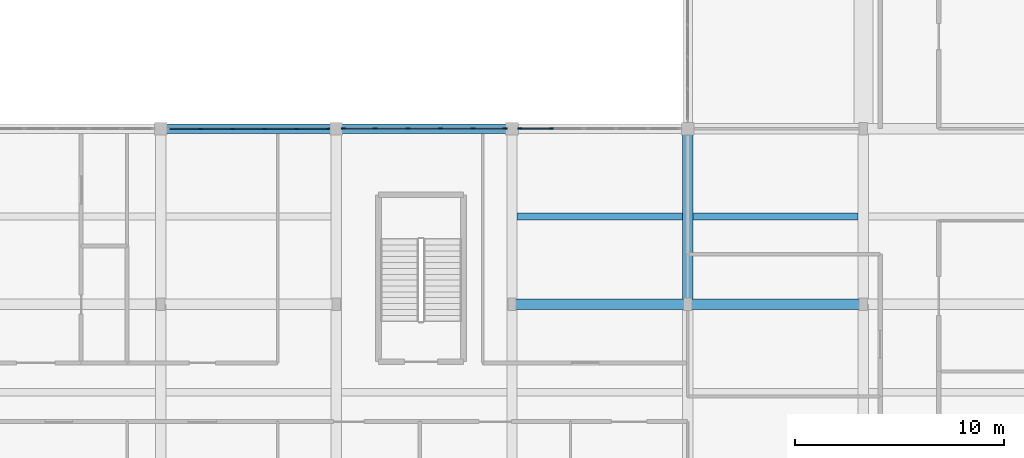
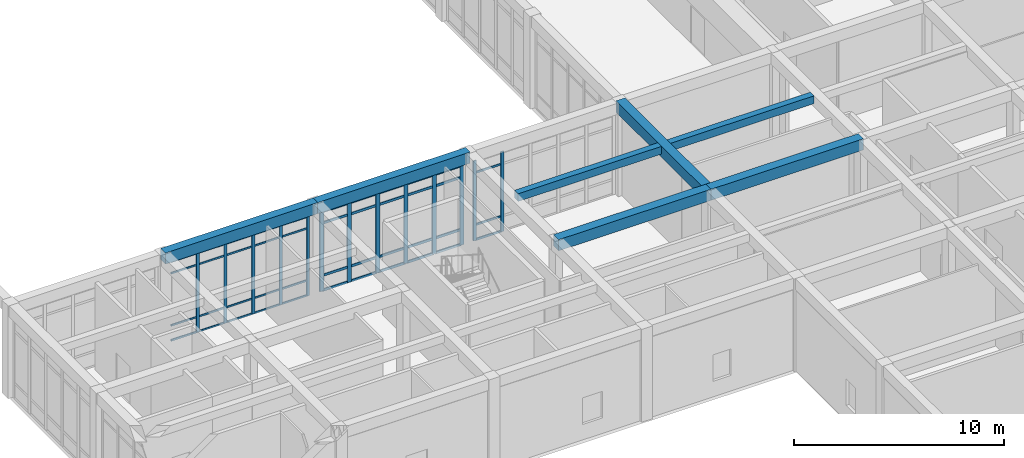
# One storey, part 32 of 89: 56 members, 7 beams, 3 elements without a shape of their own.
"""IFC4 building model written with IfcOpenShell, lengths in metres."""

from ifc_helpers import new_model, si_unit, direction, frame, origin, origin_2d, place, context, subcontext, project, spatial, rectangle, extrude, material, material_profile, profile_set, type_object, element, aggregate, save


model = new_model("IFC4")

# Units and contexts
model_context = context("Model", 3, precision=1e-05, world=origin(), true_north=direction((0.0, 1.0)))
body_context = subcontext(model_context, "Body", "Model", "MODEL_VIEW")
ifc_project = project(units=[si_unit("LENGTHUNIT", "METRE"), si_unit("AREAUNIT", "SQUARE_METRE"), si_unit("VOLUMEUNIT", "CUBIC_METRE"), si_unit("PLANEANGLEUNIT", "RADIAN"), si_unit("MASSUNIT", "GRAM", prefix="KILO")], contexts=[model_context])

# Site, building, storey
site_placement = place(None, origin())
site = spatial("IfcSite", under=ifc_project, at=site_placement, CompositionType="ELEMENT")
building_placement = place(site_placement, origin())
building = spatial("IfcBuilding", under=site, at=building_placement, Name="Varncliffe General Hospital", CompositionType="ELEMENT")
storey_placement = place(building_placement, frame((0.0, 0.0, 10.800048828125)))
storey = spatial("IfcBuildingStorey", under=building, at=storey_placement, Name="L02", CompositionType="ELEMENT", Elevation=10.800048828125)

# Beams
ifc_material_1 = material(Name="Concrete C35/45 (CSA A23.1 35 MPa)", Category="concrete")
ifc_material_profile_1 = material_profile(ifc_material_1, rectangle(XDim=0.5, YDim=0.64990234375, at=origin_2d()), Name="RC 500x650")
ifc_profile_set_1 = profile_set([ifc_material_profile_1], Name="Concrete C35/45 (CSA A23.1 35 MPa)")
beam_type_1 = type_object("IfcBeamType", Name="Beam B29 (Int RC 500x650)", PredefinedType="BEAM", material=ifc_profile_set_1)
beam_1_placement = place(storey_placement, frame((142.800048828125, 32.39990234375, 5.074951171875), z_axis=(1.0, 0.0, 0.0), x_axis=(0.0, 1.0, 0.0)))
element("IfcBeam", 1, at=beam_1_placement, inside=storey, type_object=beam_type_1, Name="L02 Primary Beam B29-37", PredefinedType="BEAM", context=body_context, shape_type="SweptSolid", body=[
    extrude(rectangle(XDim=0.5, YDim=0.64990234375, at=origin_2d()), origin(), (0.0, 0.0, 1.0), 8.39990234375),
])
for number, where, z_axis, x_axis, name in (
    (2, (151.199951171875, 32.39990234375, 5.074951171875), (1.0, 0.0, 0.0), (0.0, 1.0, 0.0), "L02 Primary Beam B29-38"),
    (3, (151.199951171875, 32.39990234375, 5.074951171875), (0.0, 1.0, 0.0), (-1.0, 0.0, 0.0), "L02 Primary Beam B29-433"),
):
    element("IfcBeam", number, at=place(storey_placement, frame(where, z_axis=z_axis, x_axis=x_axis)), inside=storey, type_object=beam_type_1, Name=name, PredefinedType="BEAM", context=body_context, shape_type="SweptSolid", body=[
        extrude(rectangle(XDim=0.5, YDim=0.64990234375, at=origin_2d()), origin(), (0.0, 0.0, 1.0), 8.400146484375),
    ])

# Curtain wall, members
ifc_material_2 = material(Name="Triple low-E argon insulated vision glazing", Category="glass")
curtain_wall_type_1 = type_object("IfcCurtainWallType", Name="Unitised Glazed Curtain Wall CW70 (7724x4640)", PredefinedType="USERDEFINED", material=ifc_material_2)
curtain_wall_1_placement = place(storey_placement, origin())
curtain_wall_1 = element("IfcCurtainWall", 4, at=curtain_wall_1_placement, inside=storey, type_object=curtain_wall_type_1, Name="L02 Glazed Curtain Wall CW70-121", ObjectType="GLAZED CURTAIN WALL", PredefinedType="USERDEFINED")
ifc_material_3 = material(Name="Dark bronze thermally broken aluminium framing", Category="aluminium")
ifc_material_profile_2 = material_profile(ifc_material_3, rectangle(XDim=0.074951171875, YDim=0.179931640625, at=origin_2d()), Name="ALU 75x180")
ifc_profile_set_2 = profile_set([ifc_material_profile_2], Name="Dark bronze thermally broken aluminium framing")
member_type_1 = type_object("IfcMemberType", Name="Curtain Wall Mullion CM44 (ALU 75x180)", PredefinedType="MULLION", material=ifc_profile_set_2)
member_1_placement = place(storey_placement, frame((143.175537109375, 40.800048828125, 0.0), z_axis=(0.0, 0.0, 1.0), x_axis=(0.0, 1.0, 0.0)))
member_1 = element("IfcMember", 5, at=member_1_placement, type_object=member_type_1, Name="CW70 mullion 1", PredefinedType="MULLION", context=body_context, shape_type="SweptSolid", body=[
    extrude(rectangle(XDim=0.074951171875, YDim=0.179931640625, at=origin_2d()), origin(), (0.0, 0.0, 1.0), 4.639892578125),
])
member_2_placement = place(storey_placement, frame((144.682861328125, 40.800048828125, 0.0), z_axis=(0.0, 0.0, 1.0), x_axis=(0.0, 1.0, 0.0)))
member_2 = element("IfcMember", 6, at=member_2_placement, type_object=member_type_1, Name="CW70 mullion 2", PredefinedType="MULLION", context=body_context, shape_type="SweptSolid", body=[
    extrude(rectangle(XDim=0.074951171875, YDim=0.179931640625, at=origin_2d()), origin(), (0.0, 0.0, 1.0), 4.639892578125),
])

curtain_wall_type_2 = type_object("IfcCurtainWallType", Name="Unitised Glazed Curtain Wall CW27 (7644x4640)", PredefinedType="USERDEFINED", material=ifc_material_2)
curtain_wall_2_placement = place(storey_placement, origin())
curtain_wall_2 = element("IfcCurtainWall", 7, at=curtain_wall_2_placement, inside=storey, type_object=curtain_wall_type_2, Name="L02 Glazed Curtain Wall CW27-119", ObjectType="GLAZED CURTAIN WALL", PredefinedType="USERDEFINED")
ifc_material_profile_3 = material_profile(ifc_material_3, rectangle(XDim=0.06494140625, YDim=0.159912109375, at=origin_2d()), Name="ALU 65x160")
ifc_profile_set_3 = profile_set([ifc_material_profile_3], Name="Dark bronze thermally broken aluminium framing")
member_type_2 = type_object("IfcMemberType", Name="Curtain Wall Mullion CM65 (ALU 65x160)", PredefinedType="MULLION", material=ifc_profile_set_3)
member_3_placement = place(storey_placement, frame((127.90673828125, 40.800048828125, 0.0), z_axis=(0.0, 0.0, 1.0), x_axis=(0.0, 1.0, 0.0)))
member_3 = element("IfcMember", 8, at=member_3_placement, type_object=member_type_2, Name="CW27 mullion 2", PredefinedType="MULLION", context=body_context, shape_type="SweptSolid", body=[
    extrude(rectangle(XDim=0.06494140625, YDim=0.159912109375, at=origin_2d()), origin(), (0.0, 0.0, 1.0), 4.639892578125),
])
member_4_placement = place(storey_placement, frame((129.435546875, 40.800048828125, 0.0), z_axis=(0.0, 0.0, 1.0), x_axis=(0.0, 1.0, 0.0)))
member_4 = element("IfcMember", 9, at=member_4_placement, type_object=member_type_2, Name="CW27 mullion 3", PredefinedType="MULLION", context=body_context, shape_type="SweptSolid", body=[
    extrude(rectangle(XDim=0.06494140625, YDim=0.159912109375, at=origin_2d()), origin(), (0.0, 0.0, 1.0), 4.639892578125),
])
member_5_placement = place(storey_placement, frame((130.96435546875, 40.800048828125, 0.0), z_axis=(0.0, 0.0, 1.0), x_axis=(0.0, 1.0, 0.0)))
member_5 = element("IfcMember", 10, at=member_5_placement, type_object=member_type_2, Name="CW27 mullion 4", PredefinedType="MULLION", context=body_context, shape_type="SweptSolid", body=[
    extrude(rectangle(XDim=0.06494140625, YDim=0.159912109375, at=origin_2d()), origin(), (0.0, 0.0, 1.0), 4.639892578125),
])
member_6_placement = place(storey_placement, frame((132.4931640625, 40.800048828125, 0.0), z_axis=(0.0, 0.0, 1.0), x_axis=(0.0, 1.0, 0.0)))
member_6 = element("IfcMember", 11, at=member_6_placement, type_object=member_type_2, Name="CW27 mullion 5", PredefinedType="MULLION", context=body_context, shape_type="SweptSolid", body=[
    extrude(rectangle(XDim=0.06494140625, YDim=0.159912109375, at=origin_2d()), origin(), (0.0, 0.0, 1.0), 4.639892578125),
])
member_7_placement = place(storey_placement, frame((133.989501953125, 40.800048828125, 0.0), z_axis=(0.0, 0.0, 1.0), x_axis=(0.0, 1.0, 0.0)))
member_7 = element("IfcMember", 12, at=member_7_placement, type_object=member_type_2, Name="CW27 mullion 6", PredefinedType="MULLION", context=body_context, shape_type="SweptSolid", body=[
    extrude(rectangle(XDim=0.06494140625, YDim=0.159912109375, at=origin_2d()), origin(), (0.0, 0.0, 1.0), 4.639892578125),
])

curtain_wall_type_3 = type_object("IfcCurtainWallType", Name="Unitised Glazed Curtain Wall CW85 (7804x4640)", PredefinedType="USERDEFINED", material=ifc_material_2)
curtain_wall_3_placement = place(storey_placement, origin())
curtain_wall_3 = element("IfcCurtainWall", 13, at=curtain_wall_3_placement, inside=storey, type_object=curtain_wall_type_3, Name="L02 Glazed Curtain Wall CW85-120", ObjectType="GLAZED CURTAIN WALL", PredefinedType="USERDEFINED")
ifc_material_profile_4 = material_profile(ifc_material_3, rectangle(XDim=0.074951171875, YDim=0.219970703125, at=origin_2d()), Name="ALU 75x220")
ifc_profile_set_4 = profile_set([ifc_material_profile_4], Name="Dark bronze thermally broken aluminium framing")
member_type_3 = type_object("IfcMemberType", Name="Curtain Wall Mullion CM74 (ALU 75x220)", PredefinedType="MULLION", material=ifc_profile_set_4)
member_8_placement = place(storey_placement, frame((134.735595703125, 40.800048828125, 0.0), z_axis=(0.0, 0.0, 1.0), x_axis=(0.0, 1.0, 0.0)))
member_8 = element("IfcMember", 14, at=member_8_placement, type_object=member_type_3, Name="CW85 mullion 1", PredefinedType="MULLION", context=body_context, shape_type="SweptSolid", body=[
    extrude(rectangle(XDim=0.074951171875, YDim=0.219970703125, at=origin_2d()), origin(), (0.0, 0.0, 1.0), 4.639892578125),
])
member_9_placement = place(storey_placement, frame((136.2587890625, 40.800048828125, 0.0), z_axis=(0.0, 0.0, 1.0), x_axis=(0.0, 1.0, 0.0)))
member_9 = element("IfcMember", 15, at=member_9_placement, type_object=member_type_3, Name="CW85 mullion 2", PredefinedType="MULLION", context=body_context, shape_type="SweptSolid", body=[
    extrude(rectangle(XDim=0.074951171875, YDim=0.219970703125, at=origin_2d()), origin(), (0.0, 0.0, 1.0), 4.639892578125),
])
member_10_placement = place(storey_placement, frame((137.819580078125, 40.800048828125, 0.0), z_axis=(0.0, 0.0, 1.0), x_axis=(0.0, 1.0, 0.0)))
member_10 = element("IfcMember", 16, at=member_10_placement, type_object=member_type_3, Name="CW85 mullion 3", PredefinedType="MULLION", context=body_context, shape_type="SweptSolid", body=[
    extrude(rectangle(XDim=0.074951171875, YDim=0.219970703125, at=origin_2d()), origin(), (0.0, 0.0, 1.0), 4.639892578125),
])
member_11_placement = place(storey_placement, frame((139.38037109375, 40.800048828125, 0.0), z_axis=(0.0, 0.0, 1.0), x_axis=(0.0, 1.0, 0.0)))
member_11 = element("IfcMember", 17, at=member_11_placement, type_object=member_type_3, Name="CW85 mullion 4", PredefinedType="MULLION", context=body_context, shape_type="SweptSolid", body=[
    extrude(rectangle(XDim=0.074951171875, YDim=0.219970703125, at=origin_2d()), origin(), (0.0, 0.0, 1.0), 4.639892578125),
])
member_12_placement = place(storey_placement, frame((140.941162109375, 40.800048828125, 0.0), z_axis=(0.0, 0.0, 1.0), x_axis=(0.0, 1.0, 0.0)))
member_12 = element("IfcMember", 18, at=member_12_placement, type_object=member_type_3, Name="CW85 mullion 5", PredefinedType="MULLION", context=body_context, shape_type="SweptSolid", body=[
    extrude(rectangle(XDim=0.074951171875, YDim=0.219970703125, at=origin_2d()), origin(), (0.0, 0.0, 1.0), 4.639892578125),
])
member_13_placement = place(storey_placement, frame((142.464599609375, 40.800048828125, 0.0), z_axis=(0.0, 0.0, 1.0), x_axis=(0.0, 1.0, 0.0)))
member_13 = element("IfcMember", 19, at=member_13_placement, type_object=member_type_3, Name="CW85 mullion 6", PredefinedType="MULLION", context=body_context, shape_type="SweptSolid", body=[
    extrude(rectangle(XDim=0.074951171875, YDim=0.219970703125, at=origin_2d()), origin(), (0.0, 0.0, 1.0), 4.639892578125),
])

# Member
ifc_material_profile_5 = material_profile(ifc_material_3, rectangle(XDim=0.06005859375, YDim=0.1201171875, at=origin_2d()), Name="ALU 60x120")
ifc_profile_set_5 = profile_set([ifc_material_profile_5], Name="Dark bronze thermally broken aluminium framing")
member_type_4 = type_object("IfcMemberType", Name="Curtain Wall Transom CT14 (ALU 60x120)", PredefinedType="USERDEFINED", material=ifc_profile_set_5)
member_14_placement = place(storey_placement, frame((143.212890625, 40.800048828125, 0.030029296875), z_axis=(1.0, 0.0, 0.0), x_axis=(0.0, 1.0, 0.0)))
member_14 = element("IfcMember", 20, at=member_14_placement, type_object=member_type_4, Name="CW70 transom 1.1", ObjectType="TRANSOM", PredefinedType="USERDEFINED", context=body_context, shape_type="SweptSolid", body=[
    extrude(rectangle(XDim=0.06005859375, YDim=0.1201171875, at=origin_2d()), origin(), (0.0, 0.0, 1.0), 1.432373046875),
])

member_15_placement = place(storey_placement, frame((143.212890625, 40.800048828125, 0.89990234375), z_axis=(1.0, 0.0, 0.0), x_axis=(0.0, 1.0, 0.0)))
member_15 = element("IfcMember", 21, at=member_15_placement, type_object=member_type_4, Name="CW70 transom 1.2", ObjectType="TRANSOM", PredefinedType="USERDEFINED", context=body_context, shape_type="SweptSolid", body=[
    extrude(rectangle(XDim=0.06005859375, YDim=0.1201171875, at=origin_2d()), origin(), (0.0, 0.0, 1.0), 1.432373046875),
])

member_16_placement = place(storey_placement, frame((143.212890625, 40.800048828125, 3.93994140625), z_axis=(1.0, 0.0, 0.0), x_axis=(0.0, 1.0, 0.0)))
member_16 = element("IfcMember", 22, at=member_16_placement, type_object=member_type_4, Name="CW70 transom 1.3", ObjectType="TRANSOM", PredefinedType="USERDEFINED", context=body_context, shape_type="SweptSolid", body=[
    extrude(rectangle(XDim=0.06005859375, YDim=0.1201171875, at=origin_2d()), origin(), (0.0, 0.0, 1.0), 1.432373046875),
])

aggregate(curtain_wall_1, [member_1, member_2, member_14, member_15, member_16])

ifc_material_profile_6 = material_profile(ifc_material_3, rectangle(XDim=0.06005859375, YDim=0.10009765625, at=origin_2d()), Name="ALU 60x100")
ifc_profile_set_6 = profile_set([ifc_material_profile_6], Name="Dark bronze thermally broken aluminium framing")
member_type_5 = type_object("IfcMemberType", Name="Curtain Wall Transom CT18 (ALU 60x100)", PredefinedType="USERDEFINED", material=ifc_profile_set_6)
member_17_placement = place(storey_placement, frame((126.443115234375, 40.800048828125, 0.030029296875), z_axis=(1.0, 0.0, 0.0), x_axis=(0.0, 1.0, 0.0)))
member_17 = element("IfcMember", 23, at=member_17_placement, type_object=member_type_5, Name="CW27 transom 1.1", ObjectType="TRANSOM", PredefinedType="USERDEFINED", context=body_context, shape_type="SweptSolid", body=[
    extrude(rectangle(XDim=0.06005859375, YDim=0.10009765625, at=origin_2d()), origin(), (0.0, 0.0, 1.0), 1.43115234375),
])

member_18_placement = place(storey_placement, frame((126.443115234375, 40.800048828125, 0.89990234375), z_axis=(1.0, 0.0, 0.0), x_axis=(0.0, 1.0, 0.0)))
member_18 = element("IfcMember", 24, at=member_18_placement, type_object=member_type_5, Name="CW27 transom 1.2", ObjectType="TRANSOM", PredefinedType="USERDEFINED", context=body_context, shape_type="SweptSolid", body=[
    extrude(rectangle(XDim=0.06005859375, YDim=0.10009765625, at=origin_2d()), origin(), (0.0, 0.0, 1.0), 1.43115234375),
])

member_19_placement = place(storey_placement, frame((126.443115234375, 40.800048828125, 3.93994140625), z_axis=(1.0, 0.0, 0.0), x_axis=(0.0, 1.0, 0.0)))
member_19 = element("IfcMember", 25, at=member_19_placement, type_object=member_type_5, Name="CW27 transom 1.3", ObjectType="TRANSOM", PredefinedType="USERDEFINED", context=body_context, shape_type="SweptSolid", body=[
    extrude(rectangle(XDim=0.06005859375, YDim=0.10009765625, at=origin_2d()), origin(), (0.0, 0.0, 1.0), 1.43115234375),
])

member_20_placement = place(storey_placement, frame((126.443115234375, 40.800048828125, 4.60986328125), z_axis=(1.0, 0.0, 0.0), x_axis=(0.0, 1.0, 0.0)))
member_20 = element("IfcMember", 26, at=member_20_placement, type_object=member_type_5, Name="CW27 transom 1.4", ObjectType="TRANSOM", PredefinedType="USERDEFINED", context=body_context, shape_type="SweptSolid", body=[
    extrude(rectangle(XDim=0.06005859375, YDim=0.10009765625, at=origin_2d()), origin(), (0.0, 0.0, 1.0), 1.43115234375),
])

member_21_placement = place(storey_placement, frame((127.939208984375, 40.800048828125, 0.030029296875), z_axis=(1.0, 0.0, 0.0), x_axis=(0.0, 1.0, 0.0)))
member_21 = element("IfcMember", 27, at=member_21_placement, type_object=member_type_5, Name="CW27 transom 2.1", ObjectType="TRANSOM", PredefinedType="USERDEFINED", context=body_context, shape_type="SweptSolid", body=[
    extrude(rectangle(XDim=0.06005859375, YDim=0.10009765625, at=origin_2d()), origin(), (0.0, 0.0, 1.0), 1.4638671875),
])

member_22_placement = place(storey_placement, frame((127.939208984375, 40.800048828125, 0.89990234375), z_axis=(1.0, 0.0, 0.0), x_axis=(0.0, 1.0, 0.0)))
member_22 = element("IfcMember", 28, at=member_22_placement, type_object=member_type_5, Name="CW27 transom 2.2", ObjectType="TRANSOM", PredefinedType="USERDEFINED", context=body_context, shape_type="SweptSolid", body=[
    extrude(rectangle(XDim=0.06005859375, YDim=0.10009765625, at=origin_2d()), origin(), (0.0, 0.0, 1.0), 1.4638671875),
])

member_23_placement = place(storey_placement, frame((127.939208984375, 40.800048828125, 3.93994140625), z_axis=(1.0, 0.0, 0.0), x_axis=(0.0, 1.0, 0.0)))
member_23 = element("IfcMember", 29, at=member_23_placement, type_object=member_type_5, Name="CW27 transom 2.3", ObjectType="TRANSOM", PredefinedType="USERDEFINED", context=body_context, shape_type="SweptSolid", body=[
    extrude(rectangle(XDim=0.06005859375, YDim=0.10009765625, at=origin_2d()), origin(), (0.0, 0.0, 1.0), 1.4638671875),
])

member_24_placement = place(storey_placement, frame((127.939208984375, 40.800048828125, 4.60986328125), z_axis=(1.0, 0.0, 0.0), x_axis=(0.0, 1.0, 0.0)))
member_24 = element("IfcMember", 30, at=member_24_placement, type_object=member_type_5, Name="CW27 transom 2.4", ObjectType="TRANSOM", PredefinedType="USERDEFINED", context=body_context, shape_type="SweptSolid", body=[
    extrude(rectangle(XDim=0.06005859375, YDim=0.10009765625, at=origin_2d()), origin(), (0.0, 0.0, 1.0), 1.4638671875),
])

member_25_placement = place(storey_placement, frame((129.468017578125, 40.800048828125, 0.030029296875), z_axis=(1.0, 0.0, 0.0), x_axis=(0.0, 1.0, 0.0)))
member_25 = element("IfcMember", 31, at=member_25_placement, type_object=member_type_5, Name="CW27 transom 3.1", ObjectType="TRANSOM", PredefinedType="USERDEFINED", context=body_context, shape_type="SweptSolid", body=[
    extrude(rectangle(XDim=0.06005859375, YDim=0.10009765625, at=origin_2d()), origin(), (0.0, 0.0, 1.0), 1.4638671875),
])

member_26_placement = place(storey_placement, frame((129.468017578125, 40.800048828125, 0.89990234375), z_axis=(1.0, 0.0, 0.0), x_axis=(0.0, 1.0, 0.0)))
member_26 = element("IfcMember", 32, at=member_26_placement, type_object=member_type_5, Name="CW27 transom 3.2", ObjectType="TRANSOM", PredefinedType="USERDEFINED", context=body_context, shape_type="SweptSolid", body=[
    extrude(rectangle(XDim=0.06005859375, YDim=0.10009765625, at=origin_2d()), origin(), (0.0, 0.0, 1.0), 1.4638671875),
])

member_27_placement = place(storey_placement, frame((129.468017578125, 40.800048828125, 3.93994140625), z_axis=(1.0, 0.0, 0.0), x_axis=(0.0, 1.0, 0.0)))
member_27 = element("IfcMember", 33, at=member_27_placement, type_object=member_type_5, Name="CW27 transom 3.3", ObjectType="TRANSOM", PredefinedType="USERDEFINED", context=body_context, shape_type="SweptSolid", body=[
    extrude(rectangle(XDim=0.06005859375, YDim=0.10009765625, at=origin_2d()), origin(), (0.0, 0.0, 1.0), 1.4638671875),
])

member_28_placement = place(storey_placement, frame((129.468017578125, 40.800048828125, 4.60986328125), z_axis=(1.0, 0.0, 0.0), x_axis=(0.0, 1.0, 0.0)))
member_28 = element("IfcMember", 34, at=member_28_placement, type_object=member_type_5, Name="CW27 transom 3.4", ObjectType="TRANSOM", PredefinedType="USERDEFINED", context=body_context, shape_type="SweptSolid", body=[
    extrude(rectangle(XDim=0.06005859375, YDim=0.10009765625, at=origin_2d()), origin(), (0.0, 0.0, 1.0), 1.4638671875),
])

member_29_placement = place(storey_placement, frame((130.996826171875, 40.800048828125, 0.030029296875), z_axis=(1.0, 0.0, 0.0), x_axis=(0.0, 1.0, 0.0)))
member_29 = element("IfcMember", 35, at=member_29_placement, type_object=member_type_5, Name="CW27 transom 4.1", ObjectType="TRANSOM", PredefinedType="USERDEFINED", context=body_context, shape_type="SweptSolid", body=[
    extrude(rectangle(XDim=0.06005859375, YDim=0.10009765625, at=origin_2d()), origin(), (0.0, 0.0, 1.0), 1.4638671875),
])

member_30_placement = place(storey_placement, frame((130.996826171875, 40.800048828125, 0.89990234375), z_axis=(1.0, 0.0, 0.0), x_axis=(0.0, 1.0, 0.0)))
member_30 = element("IfcMember", 36, at=member_30_placement, type_object=member_type_5, Name="CW27 transom 4.2", ObjectType="TRANSOM", PredefinedType="USERDEFINED", context=body_context, shape_type="SweptSolid", body=[
    extrude(rectangle(XDim=0.06005859375, YDim=0.10009765625, at=origin_2d()), origin(), (0.0, 0.0, 1.0), 1.4638671875),
])

member_31_placement = place(storey_placement, frame((130.996826171875, 40.800048828125, 3.93994140625), z_axis=(1.0, 0.0, 0.0), x_axis=(0.0, 1.0, 0.0)))
member_31 = element("IfcMember", 37, at=member_31_placement, type_object=member_type_5, Name="CW27 transom 4.3", ObjectType="TRANSOM", PredefinedType="USERDEFINED", context=body_context, shape_type="SweptSolid", body=[
    extrude(rectangle(XDim=0.06005859375, YDim=0.10009765625, at=origin_2d()), origin(), (0.0, 0.0, 1.0), 1.4638671875),
])

member_32_placement = place(storey_placement, frame((130.996826171875, 40.800048828125, 4.60986328125), z_axis=(1.0, 0.0, 0.0), x_axis=(0.0, 1.0, 0.0)))
member_32 = element("IfcMember", 38, at=member_32_placement, type_object=member_type_5, Name="CW27 transom 4.4", ObjectType="TRANSOM", PredefinedType="USERDEFINED", context=body_context, shape_type="SweptSolid", body=[
    extrude(rectangle(XDim=0.06005859375, YDim=0.10009765625, at=origin_2d()), origin(), (0.0, 0.0, 1.0), 1.4638671875),
])

member_33_placement = place(storey_placement, frame((132.525634765625, 40.800048828125, 0.030029296875), z_axis=(1.0, 0.0, 0.0), x_axis=(0.0, 1.0, 0.0)))
member_33 = element("IfcMember", 39, at=member_33_placement, type_object=member_type_5, Name="CW27 transom 5.1", ObjectType="TRANSOM", PredefinedType="USERDEFINED", context=body_context, shape_type="SweptSolid", body=[
    extrude(rectangle(XDim=0.06005859375, YDim=0.10009765625, at=origin_2d()), origin(), (0.0, 0.0, 1.0), 1.431396484375),
])

member_34_placement = place(storey_placement, frame((132.525634765625, 40.800048828125, 0.89990234375), z_axis=(1.0, 0.0, 0.0), x_axis=(0.0, 1.0, 0.0)))
member_34 = element("IfcMember", 40, at=member_34_placement, type_object=member_type_5, Name="CW27 transom 5.2", ObjectType="TRANSOM", PredefinedType="USERDEFINED", context=body_context, shape_type="SweptSolid", body=[
    extrude(rectangle(XDim=0.06005859375, YDim=0.10009765625, at=origin_2d()), origin(), (0.0, 0.0, 1.0), 1.431396484375),
])

member_35_placement = place(storey_placement, frame((132.525634765625, 40.800048828125, 3.93994140625), z_axis=(1.0, 0.0, 0.0), x_axis=(0.0, 1.0, 0.0)))
member_35 = element("IfcMember", 41, at=member_35_placement, type_object=member_type_5, Name="CW27 transom 5.3", ObjectType="TRANSOM", PredefinedType="USERDEFINED", context=body_context, shape_type="SweptSolid", body=[
    extrude(rectangle(XDim=0.06005859375, YDim=0.10009765625, at=origin_2d()), origin(), (0.0, 0.0, 1.0), 1.431396484375),
])

member_36_placement = place(storey_placement, frame((132.525634765625, 40.800048828125, 4.60986328125), z_axis=(1.0, 0.0, 0.0), x_axis=(0.0, 1.0, 0.0)))
member_36 = element("IfcMember", 42, at=member_36_placement, type_object=member_type_5, Name="CW27 transom 5.4", ObjectType="TRANSOM", PredefinedType="USERDEFINED", context=body_context, shape_type="SweptSolid", body=[
    extrude(rectangle(XDim=0.06005859375, YDim=0.10009765625, at=origin_2d()), origin(), (0.0, 0.0, 1.0), 1.431396484375),
])

aggregate(curtain_wall_2, [member_3, member_4, member_5, member_6, member_7, member_17, member_18, member_19, member_20, member_21, member_22, member_23, member_24, member_25, member_26, member_27, member_28, member_29, member_30, member_31, member_32, member_33, member_34, member_35, member_36])

ifc_material_profile_7 = material_profile(ifc_material_3, rectangle(XDim=0.06494140625, YDim=0.139892578125, at=origin_2d()), Name="ALU 65x140")
ifc_profile_set_7 = profile_set([ifc_material_profile_7], Name="Dark bronze thermally broken aluminium framing")
member_type_6 = type_object("IfcMemberType", Name="Curtain Wall Transom CT69 (ALU 65x140)", PredefinedType="USERDEFINED", material=ifc_profile_set_7)
member_37_placement = place(storey_placement, frame((134.77294921875, 40.800048828125, 0.032470703125), z_axis=(1.0, 0.0, 0.0), x_axis=(0.0, 1.0, 0.0)))
member_37 = element("IfcMember", 43, at=member_37_placement, type_object=member_type_6, Name="CW85 transom 1.1", ObjectType="TRANSOM", PredefinedType="USERDEFINED", context=body_context, shape_type="SweptSolid", body=[
    extrude(rectangle(XDim=0.06494140625, YDim=0.139892578125, at=origin_2d()), origin(), (0.0, 0.0, 1.0), 1.4482421875),
])

member_38_placement = place(storey_placement, frame((134.77294921875, 40.800048828125, 0.89990234375), z_axis=(1.0, 0.0, 0.0), x_axis=(0.0, 1.0, 0.0)))
member_38 = element("IfcMember", 44, at=member_38_placement, type_object=member_type_6, Name="CW85 transom 1.2", ObjectType="TRANSOM", PredefinedType="USERDEFINED", context=body_context, shape_type="SweptSolid", body=[
    extrude(rectangle(XDim=0.06494140625, YDim=0.139892578125, at=origin_2d()), origin(), (0.0, 0.0, 1.0), 1.4482421875),
])

member_39_placement = place(storey_placement, frame((134.77294921875, 40.800048828125, 3.93994140625), z_axis=(1.0, 0.0, 0.0), x_axis=(0.0, 1.0, 0.0)))
member_39 = element("IfcMember", 45, at=member_39_placement, type_object=member_type_6, Name="CW85 transom 1.3", ObjectType="TRANSOM", PredefinedType="USERDEFINED", context=body_context, shape_type="SweptSolid", body=[
    extrude(rectangle(XDim=0.06494140625, YDim=0.139892578125, at=origin_2d()), origin(), (0.0, 0.0, 1.0), 1.4482421875),
])

member_40_placement = place(storey_placement, frame((134.77294921875, 40.800048828125, 4.607421875), z_axis=(1.0, 0.0, 0.0), x_axis=(0.0, 1.0, 0.0)))
member_40 = element("IfcMember", 46, at=member_40_placement, type_object=member_type_6, Name="CW85 transom 1.4", ObjectType="TRANSOM", PredefinedType="USERDEFINED", context=body_context, shape_type="SweptSolid", body=[
    extrude(rectangle(XDim=0.06494140625, YDim=0.139892578125, at=origin_2d()), origin(), (0.0, 0.0, 1.0), 1.4482421875),
])

member_41_placement = place(storey_placement, frame((136.29638671875, 40.800048828125, 0.032470703125), z_axis=(1.0, 0.0, 0.0), x_axis=(0.0, 1.0, 0.0)))
member_41 = element("IfcMember", 47, at=member_41_placement, type_object=member_type_6, Name="CW85 transom 2.1", ObjectType="TRANSOM", PredefinedType="USERDEFINED", context=body_context, shape_type="SweptSolid", body=[
    extrude(rectangle(XDim=0.06494140625, YDim=0.139892578125, at=origin_2d()), origin(), (0.0, 0.0, 1.0), 1.485595703125),
])

member_42_placement = place(storey_placement, frame((136.29638671875, 40.800048828125, 0.89990234375), z_axis=(1.0, 0.0, 0.0), x_axis=(0.0, 1.0, 0.0)))
member_42 = element("IfcMember", 48, at=member_42_placement, type_object=member_type_6, Name="CW85 transom 2.2", ObjectType="TRANSOM", PredefinedType="USERDEFINED", context=body_context, shape_type="SweptSolid", body=[
    extrude(rectangle(XDim=0.06494140625, YDim=0.139892578125, at=origin_2d()), origin(), (0.0, 0.0, 1.0), 1.485595703125),
])

member_43_placement = place(storey_placement, frame((136.29638671875, 40.800048828125, 3.93994140625), z_axis=(1.0, 0.0, 0.0), x_axis=(0.0, 1.0, 0.0)))
member_43 = element("IfcMember", 49, at=member_43_placement, type_object=member_type_6, Name="CW85 transom 2.3", ObjectType="TRANSOM", PredefinedType="USERDEFINED", context=body_context, shape_type="SweptSolid", body=[
    extrude(rectangle(XDim=0.06494140625, YDim=0.139892578125, at=origin_2d()), origin(), (0.0, 0.0, 1.0), 1.485595703125),
])

member_44_placement = place(storey_placement, frame((136.29638671875, 40.800048828125, 4.607421875), z_axis=(1.0, 0.0, 0.0), x_axis=(0.0, 1.0, 0.0)))
member_44 = element("IfcMember", 50, at=member_44_placement, type_object=member_type_6, Name="CW85 transom 2.4", ObjectType="TRANSOM", PredefinedType="USERDEFINED", context=body_context, shape_type="SweptSolid", body=[
    extrude(rectangle(XDim=0.06494140625, YDim=0.139892578125, at=origin_2d()), origin(), (0.0, 0.0, 1.0), 1.485595703125),
])

member_45_placement = place(storey_placement, frame((137.857177734375, 40.800048828125, 0.032470703125), z_axis=(1.0, 0.0, 0.0), x_axis=(0.0, 1.0, 0.0)))
member_45 = element("IfcMember", 51, at=member_45_placement, type_object=member_type_6, Name="CW85 transom 3.1", ObjectType="TRANSOM", PredefinedType="USERDEFINED", context=body_context, shape_type="SweptSolid", body=[
    extrude(rectangle(XDim=0.06494140625, YDim=0.139892578125, at=origin_2d()), origin(), (0.0, 0.0, 1.0), 1.48583984375),
])

member_46_placement = place(storey_placement, frame((137.857177734375, 40.800048828125, 0.89990234375), z_axis=(1.0, 0.0, 0.0), x_axis=(0.0, 1.0, 0.0)))
member_46 = element("IfcMember", 52, at=member_46_placement, type_object=member_type_6, Name="CW85 transom 3.2", ObjectType="TRANSOM", PredefinedType="USERDEFINED", context=body_context, shape_type="SweptSolid", body=[
    extrude(rectangle(XDim=0.06494140625, YDim=0.139892578125, at=origin_2d()), origin(), (0.0, 0.0, 1.0), 1.48583984375),
])

member_47_placement = place(storey_placement, frame((137.857177734375, 40.800048828125, 3.93994140625), z_axis=(1.0, 0.0, 0.0), x_axis=(0.0, 1.0, 0.0)))
member_47 = element("IfcMember", 53, at=member_47_placement, type_object=member_type_6, Name="CW85 transom 3.3", ObjectType="TRANSOM", PredefinedType="USERDEFINED", context=body_context, shape_type="SweptSolid", body=[
    extrude(rectangle(XDim=0.06494140625, YDim=0.139892578125, at=origin_2d()), origin(), (0.0, 0.0, 1.0), 1.48583984375),
])

member_48_placement = place(storey_placement, frame((137.857177734375, 40.800048828125, 4.607421875), z_axis=(1.0, 0.0, 0.0), x_axis=(0.0, 1.0, 0.0)))
member_48 = element("IfcMember", 54, at=member_48_placement, type_object=member_type_6, Name="CW85 transom 3.4", ObjectType="TRANSOM", PredefinedType="USERDEFINED", context=body_context, shape_type="SweptSolid", body=[
    extrude(rectangle(XDim=0.06494140625, YDim=0.139892578125, at=origin_2d()), origin(), (0.0, 0.0, 1.0), 1.48583984375),
])

member_49_placement = place(storey_placement, frame((139.41796875, 40.800048828125, 0.032470703125), z_axis=(1.0, 0.0, 0.0), x_axis=(0.0, 1.0, 0.0)))
member_49 = element("IfcMember", 55, at=member_49_placement, type_object=member_type_6, Name="CW85 transom 4.1", ObjectType="TRANSOM", PredefinedType="USERDEFINED", context=body_context, shape_type="SweptSolid", body=[
    extrude(rectangle(XDim=0.06494140625, YDim=0.139892578125, at=origin_2d()), origin(), (0.0, 0.0, 1.0), 1.48583984375),
])

member_50_placement = place(storey_placement, frame((139.41796875, 40.800048828125, 0.89990234375), z_axis=(1.0, 0.0, 0.0), x_axis=(0.0, 1.0, 0.0)))
member_50 = element("IfcMember", 56, at=member_50_placement, type_object=member_type_6, Name="CW85 transom 4.2", ObjectType="TRANSOM", PredefinedType="USERDEFINED", context=body_context, shape_type="SweptSolid", body=[
    extrude(rectangle(XDim=0.06494140625, YDim=0.139892578125, at=origin_2d()), origin(), (0.0, 0.0, 1.0), 1.48583984375),
])

member_51_placement = place(storey_placement, frame((139.41796875, 40.800048828125, 3.93994140625), z_axis=(1.0, 0.0, 0.0), x_axis=(0.0, 1.0, 0.0)))
member_51 = element("IfcMember", 57, at=member_51_placement, type_object=member_type_6, Name="CW85 transom 4.3", ObjectType="TRANSOM", PredefinedType="USERDEFINED", context=body_context, shape_type="SweptSolid", body=[
    extrude(rectangle(XDim=0.06494140625, YDim=0.139892578125, at=origin_2d()), origin(), (0.0, 0.0, 1.0), 1.48583984375),
])

member_52_placement = place(storey_placement, frame((139.41796875, 40.800048828125, 4.607421875), z_axis=(1.0, 0.0, 0.0), x_axis=(0.0, 1.0, 0.0)))
member_52 = element("IfcMember", 58, at=member_52_placement, type_object=member_type_6, Name="CW85 transom 4.4", ObjectType="TRANSOM", PredefinedType="USERDEFINED", context=body_context, shape_type="SweptSolid", body=[
    extrude(rectangle(XDim=0.06494140625, YDim=0.139892578125, at=origin_2d()), origin(), (0.0, 0.0, 1.0), 1.48583984375),
])

member_53_placement = place(storey_placement, frame((140.978759765625, 40.800048828125, 0.032470703125), z_axis=(1.0, 0.0, 0.0), x_axis=(0.0, 1.0, 0.0)))
member_53 = element("IfcMember", 59, at=member_53_placement, type_object=member_type_6, Name="CW85 transom 5.1", ObjectType="TRANSOM", PredefinedType="USERDEFINED", context=body_context, shape_type="SweptSolid", body=[
    extrude(rectangle(XDim=0.06494140625, YDim=0.139892578125, at=origin_2d()), origin(), (0.0, 0.0, 1.0), 1.4482421875),
])

member_54_placement = place(storey_placement, frame((140.978759765625, 40.800048828125, 0.89990234375), z_axis=(1.0, 0.0, 0.0), x_axis=(0.0, 1.0, 0.0)))
member_54 = element("IfcMember", 60, at=member_54_placement, type_object=member_type_6, Name="CW85 transom 5.2", ObjectType="TRANSOM", PredefinedType="USERDEFINED", context=body_context, shape_type="SweptSolid", body=[
    extrude(rectangle(XDim=0.06494140625, YDim=0.139892578125, at=origin_2d()), origin(), (0.0, 0.0, 1.0), 1.4482421875),
])

member_55_placement = place(storey_placement, frame((140.978759765625, 40.800048828125, 3.93994140625), z_axis=(1.0, 0.0, 0.0), x_axis=(0.0, 1.0, 0.0)))
member_55 = element("IfcMember", 61, at=member_55_placement, type_object=member_type_6, Name="CW85 transom 5.3", ObjectType="TRANSOM", PredefinedType="USERDEFINED", context=body_context, shape_type="SweptSolid", body=[
    extrude(rectangle(XDim=0.06494140625, YDim=0.139892578125, at=origin_2d()), origin(), (0.0, 0.0, 1.0), 1.4482421875),
])

member_56_placement = place(storey_placement, frame((140.978759765625, 40.800048828125, 4.607421875), z_axis=(1.0, 0.0, 0.0), x_axis=(0.0, 1.0, 0.0)))
member_56 = element("IfcMember", 62, at=member_56_placement, type_object=member_type_6, Name="CW85 transom 5.4", ObjectType="TRANSOM", PredefinedType="USERDEFINED", context=body_context, shape_type="SweptSolid", body=[
    extrude(rectangle(XDim=0.06494140625, YDim=0.139892578125, at=origin_2d()), origin(), (0.0, 0.0, 1.0), 1.4482421875),
])

aggregate(curtain_wall_3, [member_8, member_9, member_10, member_11, member_12, member_13, member_37, member_38, member_39, member_40, member_41, member_42, member_43, member_44, member_45, member_46, member_47, member_48, member_49, member_50, member_51, member_52, member_53, member_54, member_55, member_56])

# Beams
ifc_material_profile_8 = material_profile(ifc_material_1, rectangle(XDim=0.35009765625, YDim=0.449951171875, at=origin_2d()), Name="RC 350x450")
ifc_profile_set_8 = profile_set([ifc_material_profile_8], Name="Concrete C35/45 (CSA A23.1 35 MPa)")
beam_type_2 = type_object("IfcBeamType", Name="Joist J55 (Int RC 350x450)", PredefinedType="JOIST", material=ifc_profile_set_8)
beam_2_placement = place(storey_placement, frame((143.048095703125, 36.60009765625, 5.175048828125), z_axis=(1.0, 0.0, 0.0), x_axis=(0.0, 1.0, 0.0)))
element("IfcBeam", 63, at=beam_2_placement, inside=storey, type_object=beam_type_2, Name="L02 Secondary Floor Rib J55-56", PredefinedType="JOIST", context=body_context, shape_type="SweptSolid", body=[
    extrude(rectangle(XDim=0.35009765625, YDim=0.449951171875, at=origin_2d()), origin(), (0.0, 0.0, 1.0), 7.90380859375),
])
beam_3_placement = place(storey_placement, frame((151.447998046875, 36.60009765625, 5.175048828125), z_axis=(1.0, 0.0, 0.0), x_axis=(0.0, 1.0, 0.0)))
element("IfcBeam", 64, at=beam_3_placement, inside=storey, type_object=beam_type_2, Name="L02 Secondary Floor Rib J55-60", PredefinedType="JOIST", context=body_context, shape_type="SweptSolid", body=[
    extrude(rectangle(XDim=0.35009765625, YDim=0.449951171875, at=origin_2d()), origin(), (0.0, 0.0, 1.0), 7.904052734375),
])
ifc_material_profile_9 = material_profile(ifc_material_1, rectangle(XDim=0.449951171875, YDim=0.64990234375, at=origin_2d()), Name="RC 450x650")
ifc_profile_set_9 = profile_set([ifc_material_profile_9], Name="Concrete C35/45 (CSA A23.1 35 MPa)")
beam_type_3 = type_object("IfcBeamType", Name="Spandrel SP38 (Ext RC 450x650B)", PredefinedType="SPANDREL", material=ifc_profile_set_9)
beam_4_placement = place(storey_placement, frame((126.0, 40.800048828125, 5.074951171875), z_axis=(1.0, 0.0, 0.0), x_axis=(0.0, 1.0, 0.0)))
element("IfcBeam", 65, at=beam_4_placement, inside=storey, type_object=beam_type_3, Name="L02 Spandrel Beam SP38-45", PredefinedType="SPANDREL", context=body_context, shape_type="SweptSolid", body=[
    extrude(rectangle(XDim=0.449951171875, YDim=0.64990234375, at=origin_2d()), origin(), (0.0, 0.0, 1.0), 8.39990234375),
])
beam_5_placement = place(storey_placement, frame((134.39990234375, 40.800048828125, 5.074951171875), z_axis=(1.0, 0.0, 0.0), x_axis=(0.0, 1.0, 0.0)))
element("IfcBeam", 66, at=beam_5_placement, inside=storey, type_object=beam_type_3, Name="L02 Spandrel Beam SP38-46", PredefinedType="SPANDREL", context=body_context, shape_type="SweptSolid", body=[
    extrude(rectangle(XDim=0.449951171875, YDim=0.64990234375, at=origin_2d()), origin(), (0.0, 0.0, 1.0), 8.400146484375),
])

save(model, "model.ifc")
